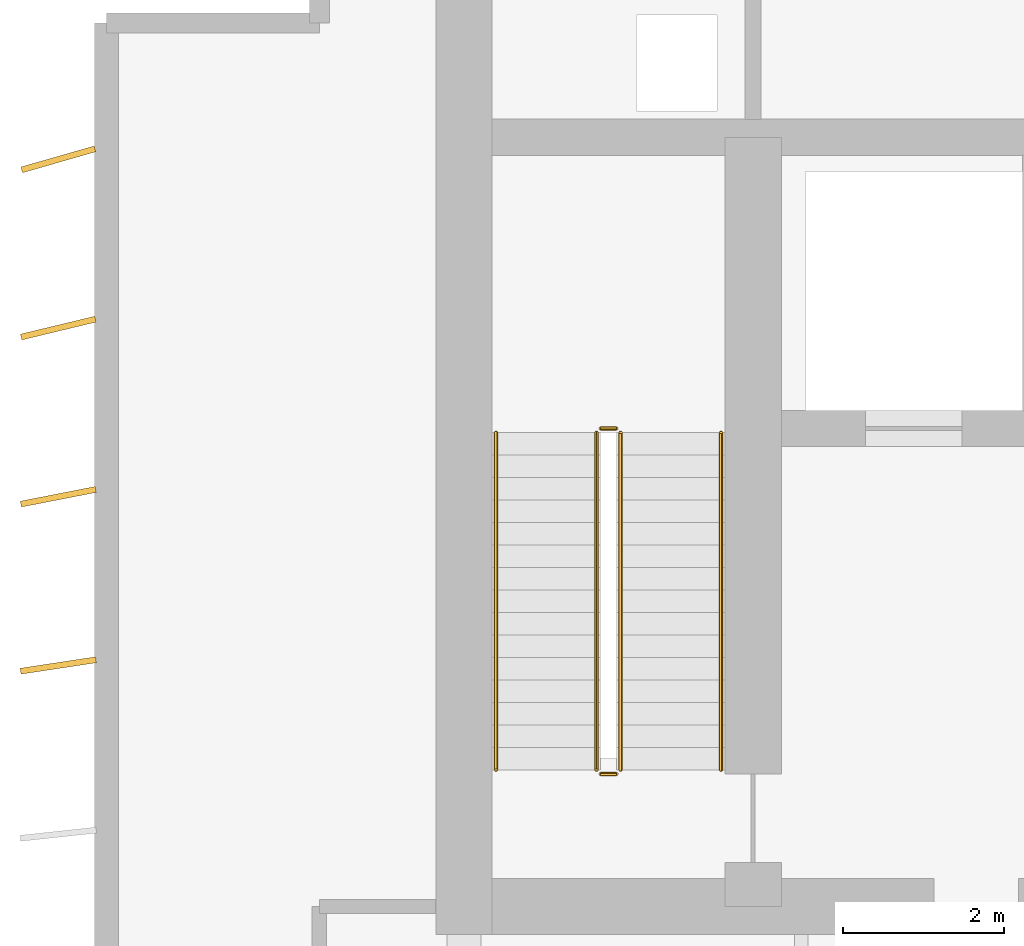
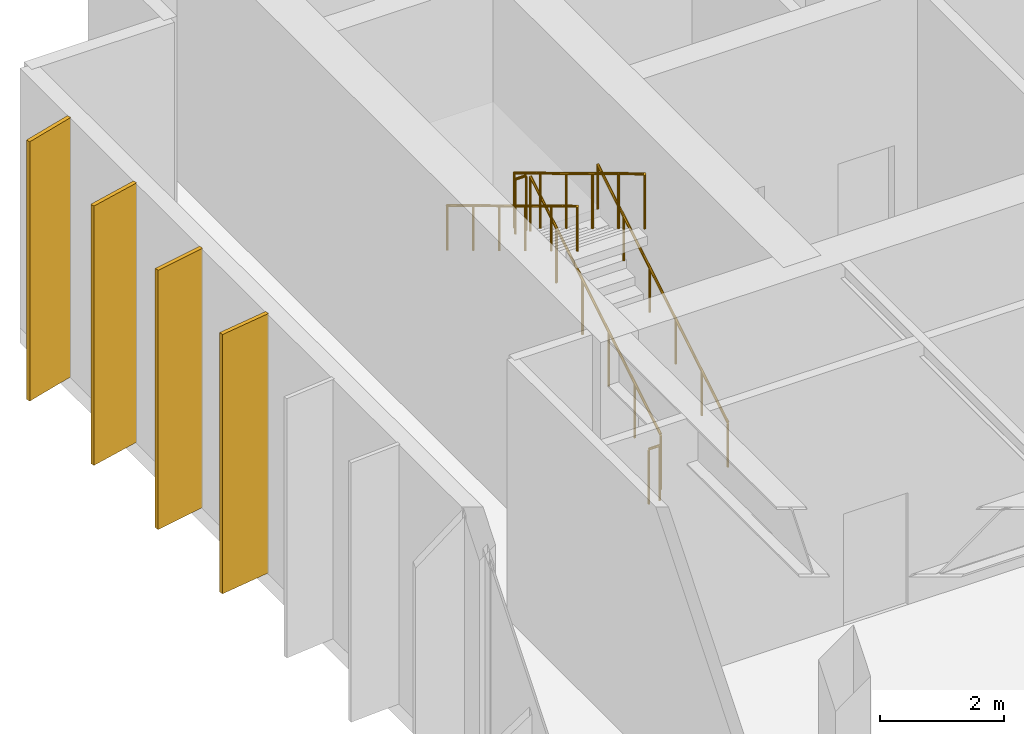
# One storey, part 9 of 10: 6 railings, 4 shading devices.
"""IFC4 building model written with IfcOpenShell, lengths in metres."""

import ifcopenshell
import ifcopenshell.guid

model = None  # the IFC model being written
_history = None  # IfcOwnerHistory: only IFC2X3 demands one
_inside = {}  # id of a spatial element -> (the spatial element, [elements in it])
_under = {}  # id of a project, library or spatial element -> (it, [spatial elements below it])
_declared = {}  # id of a project -> (the project, [libraries it declares])
_typed = {}  # id of a type object -> (the type object, [elements of that type])
_made_of = {}  # id of a material, layer set ... -> (it, [elements and type objects made of it])


def new_model(schema):
    """Start an empty IFC model of exactly this schema.

    Asked for "IFC4X3", IfcOpenShell would pick the latest addendum, in which some entities
    have other attributes; the version numbers below select the first issue.
    IFC2X3 requires an IfcOwnerHistory on every rooted entity: one is made here for all.
    """
    global model, _history
    if schema == "IFC4X3":
        model = ifcopenshell.file(schema_version=(4, 3, 0, 0))
    else:
        model = ifcopenshell.file(schema=schema)
    _inside.clear()
    _under.clear()
    _declared.clear()
    _typed.clear()
    _made_of.clear()
    _history = None
    if model.schema == "IFC2X3":
        org = make("IfcOrganization", Name="unknown")
        user = make(
            "IfcPersonAndOrganization",
            ThePerson=make("IfcPerson", FamilyName="unknown"),
            TheOrganization=org,
        )
        app = make(
            "IfcApplication",
            ApplicationDeveloper=org,
            Version="unknown",
            ApplicationFullName="unknown",
            ApplicationIdentifier="unknown",
        )
        _history = make(
            "IfcOwnerHistory",
            OwningUser=user,
            OwningApplication=app,
            ChangeAction="ADDED",
            CreationDate=0,
        )
    return model


def make(cls, **values):
    """One entity of the class cls with the attributes given. An attribute that is None is left unset."""
    return model.create_entity(
        cls, **{name: value for name, value in values.items() if value is not None}
    )


def rooted(cls, **values):
    """An entity with a GlobalId (a new one), such as an element, a storey or a relation."""
    return make(cls, GlobalId=ifcopenshell.guid.new(), OwnerHistory=_history, **values)


def si_unit(unit_type, name, prefix=None):
    """IfcSIUnit, for example si_unit("LENGTHUNIT", "METRE", prefix="MILLI")."""
    return make("IfcSIUnit", UnitType=unit_type, Prefix=prefix, Name=name)


def assignment(units):
    """IfcUnitAssignment: the units of a project."""
    return None if units is None else make("IfcUnitAssignment", Units=units)


def point(xyz):
    """IfcCartesianPoint."""
    return None if xyz is None else make("IfcCartesianPoint", Coordinates=xyz)


def direction(xyz):
    """IfcDirection."""
    return None if xyz is None else make("IfcDirection", DirectionRatios=xyz)


def frame(location, z_axis=None, x_axis=None):
    """IfcAxis2Placement3D, a coordinate frame: its origin and axes. An axis left out is left unset."""
    return make(
        "IfcAxis2Placement3D",
        Location=point(location),
        Axis=direction(z_axis),
        RefDirection=direction(x_axis),
    )


def frame_2d(location, x_axis=None):
    """IfcAxis2Placement2D, a coordinate frame in the plane: its origin and x axis."""
    return make(
        "IfcAxis2Placement2D", Location=point(location), RefDirection=direction(x_axis)
    )


def origin():
    """The frame at (0, 0, 0) with its axes left unset."""
    return frame((0.0, 0.0, 0.0))


def origin_2d():
    """The frame at (0, 0) in the plane with its x axis left unset."""
    return frame_2d((0.0, 0.0))


def place(relative_to, where):
    """IfcLocalPlacement: puts the frame where relative to a parent placement (None: the world)."""
    return make(
        "IfcLocalPlacement", PlacementRelTo=relative_to, RelativePlacement=where
    )


def context(
    kind, dimensions, precision=None, world=None, true_north=None, identifier=None
):
    """IfcGeometricRepresentationContext, for example the 3D "Model" context."""
    return make(
        "IfcGeometricRepresentationContext",
        ContextIdentifier=identifier,
        ContextType=kind,
        CoordinateSpaceDimension=dimensions,
        Precision=precision,
        WorldCoordinateSystem=world,
        TrueNorth=true_north,
    )


def subcontext(parent, identifier, kind, view, scale=None):
    """IfcGeometricRepresentationSubContext, for example "Body" below "Model"."""
    return make(
        "IfcGeometricRepresentationSubContext",
        ContextIdentifier=identifier,
        ContextType=kind,
        ParentContext=parent,
        TargetScale=scale,
        TargetView=view,
    )


def project(units=None, contexts=None):
    """IfcProject with its units and contexts."""
    return rooted(
        "IfcProject",
        Name="project",
        RepresentationContexts=contexts,
        UnitsInContext=assignment(units),
    )


def spatial(cls, under=None, at=None, **own):
    """A site, building, storey or space (cls), placed at a placement, below another one or the project."""
    s = rooted(cls, ObjectPlacement=at, **own)
    if under is not None:
        _under.setdefault(under.id(), (under, []))[1].append(s)
    return s


def profile(cls, at=None, kind="AREA", **sizes):
    """A parametric profile (cls). Its sizes go by their IFC names, for example OverallWidth=200.0."""
    return make(cls, ProfileType=kind, Position=at, **sizes)


def rectangle(**sizes):
    """IfcRectangleProfileDef."""
    return profile("IfcRectangleProfileDef", **sizes)


def circle(**sizes):
    """IfcCircleProfileDef."""
    return profile("IfcCircleProfileDef", **sizes)


def extrude(swept, where, along, depth):
    """IfcExtrudedAreaSolid: the profile swept, set in the frame where, extruded along a direction by depth."""
    return make(
        "IfcExtrudedAreaSolid",
        SweptArea=swept,
        Position=where,
        ExtrudedDirection=direction(along),
        Depth=depth,
    )


def shape(context_of_items, identifier, shape_type, items):
    """IfcShapeRepresentation: the items that make up one representation, for example the "Body"."""
    return make(
        "IfcShapeRepresentation",
        ContextOfItems=context_of_items,
        RepresentationIdentifier=identifier,
        RepresentationType=shape_type,
        Items=items,
    )


def material(Name=None, Category=None):
    """IfcMaterial."""
    return make("IfcMaterial", Name=Name, Category=Category)


def material_profile(
    of_material, cross_section, Name=None, Category=None, Priority=None
):
    """IfcMaterialProfile: a cross section and its material."""
    return make(
        "IfcMaterialProfile",
        Name=Name,
        Material=of_material,
        Profile=cross_section,
        Priority=Priority,
        Category=Category,
    )


def profile_set(profiles, Name=None, composite=None):
    """IfcMaterialProfileSet."""
    return make(
        "IfcMaterialProfileSet",
        Name=Name,
        MaterialProfiles=profiles,
        CompositeProfile=composite,
    )


def made_of(thing, what):
    """Note that an element or type object is made of a material, layer set ...; save() writes the relation."""
    if what is not None:
        _made_of.setdefault(what.id(), (what, []))[1].append(thing)
    return thing


def type_object(cls, material=None, **own):
    """A type object (cls), such as IfcWallType, which elements share."""
    return made_of(rooted(cls, **own), material)


def element(
    cls,
    number,
    at=None,
    inside=None,
    cuts=None,
    type_object=None,
    material=None,
    context=None,
    identifier="Body",
    shape_type=None,
    held_by="IfcProductDefinitionShape",
    body=None,
    shapes=None,
    **own,
):
    """One element of the class cls, such as IfcWall. Its Tag is "e" and its number.

    at: its placement. inside: the storey or other place that contains it. cuts: it is an
    opening in that element (IfcRelVoidsElement). A single representation is given by context,
    identifier, shape_type and body (its items); several are given by shapes. held_by: the class
    of the entity that holds the representations. save() writes the other relations.
    """
    e = rooted(cls, Tag="e%d" % number, ObjectPlacement=at, **own)
    if body is not None:
        shapes = [shape(context, identifier, shape_type, body)]
    if shapes is not None:
        e.Representation = make(held_by, Representations=shapes)
    if inside is not None:
        _inside.setdefault(inside.id(), (inside, []))[1].append(e)
    if cuts is not None:
        rooted(
            "IfcRelVoidsElement", RelatingBuildingElement=cuts, RelatedOpeningElement=e
        )
    if type_object is not None:
        _typed.setdefault(type_object.id(), (type_object, []))[1].append(e)
    return made_of(e, material)


def aggregate(whole, parts):
    """IfcRelAggregates: a whole, such as a stair, and the parts it consists of."""
    return rooted("IfcRelAggregates", RelatingObject=whole, RelatedObjects=parts)


def save(model, path):
    """Write the relations noted so far, then the file.

    IfcRelAggregates (storeys below a building ...), IfcRelContainedInSpatialStructure (elements
    in a storey), IfcRelDefinesByType, IfcRelAssociatesMaterial and IfcRelDeclares: one each for
    every whole, place, type object, material and project.
    """
    for whole, parts in _under.values():
        aggregate(whole, parts)
    for where, things in _inside.values():
        rooted(
            "IfcRelContainedInSpatialStructure",
            RelatedElements=things,
            RelatingStructure=where,
        )
    for kind, things in _typed.values():
        rooted("IfcRelDefinesByType", RelatedObjects=things, RelatingType=kind)
    for what, things in _made_of.values():
        rooted("IfcRelAssociatesMaterial", RelatedObjects=things, RelatingMaterial=what)
    for by, libraries in _declared.values():
        rooted("IfcRelDeclares", RelatingContext=by, RelatedDefinitions=libraries)
    model.write(path)


model = new_model("IFC4")

# Units and contexts
model_context = context("Model", 3, precision=1e-05, world=origin(), true_north=direction((0.0, 1.0)))
body_context = subcontext(model_context, "Body", "Model", "MODEL_VIEW")
ifc_project = project(units=[si_unit("LENGTHUNIT", "METRE"), si_unit("AREAUNIT", "SQUARE_METRE"), si_unit("VOLUMEUNIT", "CUBIC_METRE"), si_unit("PLANEANGLEUNIT", "RADIAN"), si_unit("MASSUNIT", "GRAM", prefix="KILO")], contexts=[model_context])

# Site, building, storey
site_placement = place(None, origin())
site = spatial("IfcSite", under=ifc_project, at=site_placement, CompositionType="ELEMENT")
building_placement = place(site_placement, origin())
building = spatial("IfcBuilding", under=site, at=building_placement, Name="Caelmar Bay Residences", CompositionType="ELEMENT")
storey_placement = place(building_placement, frame((0.0, 0.0, 284.800048828125)))
storey = spatial("IfcBuildingStorey", under=building, at=storey_placement, Name="L79", CompositionType="ELEMENT", Elevation=284.800048828125)

# Railings
ifc_material_1 = material(Name="Painted galvanized steel stair guard 1100 mm", Category="steel")
railing_type_1 = type_object("IfcRailingType", Name="RL-GRD-1100", PredefinedType="GUARDRAIL", material=ifc_material_1)
railing_1_placement = place(storey_placement, frame((20.25, 38.699951171875, 0.168701171875)))
element("IfcRailing", 1, at=railing_1_placement, inside=storey, type_object=railing_type_1, Name="L79 ST1 stair guard 1", PredefinedType="GUARDRAIL", context=body_context, shape_type="SweptSolid", body=[
    extrude(circle(Radius=0.02392578125, at=origin_2d()), frame((0.0, 0.0, 1.076171875), z_axis=(0.0, 0.856476492594, 0.516186030065), x_axis=(-1.0, 0.0, 0.0)), (0.0, 0.0, 1.0), 4.90380859375),
    extrude(circle(Radius=0.02099609375, at=origin_2d()), origin(), (0.0, 0.0, 1.0), 1.052001953125),
    extrude(circle(Radius=0.02099609375, at=origin_2d()), frame((0.0, 0.840087890625, 0.50634765625)), (0.0, 0.0, 1.0), 1.052001953125),
    extrude(circle(Radius=0.02099609375, at=origin_2d()), frame((0.0, 1.679931640625, 1.012451171875)), (0.0, 0.0, 1.0), 1.052001953125),
    extrude(circle(Radius=0.02099609375, at=origin_2d()), frame((0.0, 2.52001953125, 1.518798828125)), (0.0, 0.0, 1.0), 1.052001953125),
    extrude(circle(Radius=0.02099609375, at=origin_2d()), frame((0.0, 3.35986328125, 2.02490234375)), (0.0, 0.0, 1.0), 1.052001953125),
    extrude(circle(Radius=0.02099609375, at=origin_2d()), frame((0.0, 4.199951171875, 2.53125)), (0.0, 0.0, 1.0), 1.052001953125),
])
railing_2_placement = place(storey_placement, frame((20.199951171875, 42.949951171875, 2.699951171875)))
element("IfcRailing", 2, at=railing_2_placement, inside=storey, type_object=railing_type_1, Name="L79 ST1 stair guard 2", PredefinedType="GUARDRAIL", context=body_context, shape_type="SweptSolid", body=[
    extrude(circle(Radius=0.02392578125, at=origin_2d()), frame((0.0, 0.0, 1.076171875), z_axis=(-1.0, 0.0, 0.0), x_axis=(0.0, -1.0, 0.0)), (0.0, 0.0, 1.0), 0.199951171875),
    extrude(circle(Radius=0.02099609375, at=origin_2d()), origin(), (0.0, 0.0, 1.0), 1.052001953125),
    extrude(circle(Radius=0.02099609375, at=origin_2d()), frame((-0.199951171875, 0.0, 0.0)), (0.0, 0.0, 1.0), 1.052001953125),
])
railing_3_placement = place(storey_placement, frame((19.949951171875, 42.89990234375, 2.86865234375)))
element("IfcRailing", 3, at=railing_3_placement, inside=storey, type_object=railing_type_1, Name="L79 ST1 stair guard 3", PredefinedType="GUARDRAIL", context=body_context, shape_type="SweptSolid", body=[
    extrude(circle(Radius=0.02392578125, at=origin_2d()), frame((0.0, 0.0, 1.076171875), z_axis=(0.0, -0.856476492594, 0.516186030065), x_axis=(1.0, 0.0, 0.0)), (0.0, 0.0, 1.0), 4.90380859375),
    extrude(circle(Radius=0.02099609375, at=origin_2d()), origin(), (0.0, 0.0, 1.0), 1.052001953125),
    extrude(circle(Radius=0.02099609375, at=origin_2d()), frame((0.0, -0.840087890625, 0.50634765625)), (0.0, 0.0, 1.0), 1.052001953125),
    extrude(circle(Radius=0.02099609375, at=origin_2d()), frame((0.0, -1.679931640625, 1.012451171875)), (0.0, 0.0, 1.0), 1.052001953125),
    extrude(circle(Radius=0.02099609375, at=origin_2d()), frame((0.0, -2.52001953125, 1.518798828125)), (0.0, 0.0, 1.0), 1.052001953125),
    extrude(circle(Radius=0.02099609375, at=origin_2d()), frame((0.0, -3.35986328125, 2.02490234375)), (0.0, 0.0, 1.0), 1.052001953125),
    extrude(circle(Radius=0.02099609375, at=origin_2d()), frame((0.0, -4.199951171875, 2.53125)), (0.0, 0.0, 1.0), 1.052001953125),
])
railing_4_placement = place(storey_placement, frame((20.199951171875, 38.64990234375, 0.0)))
element("IfcRailing", 4, at=railing_4_placement, inside=storey, type_object=railing_type_1, Name="L79 ST1 stair guard 4", PredefinedType="GUARDRAIL", context=body_context, shape_type="SweptSolid", body=[
    extrude(circle(Radius=0.02392578125, at=origin_2d()), frame((0.0, 0.0, 1.076171875), z_axis=(-1.0, 0.0, 0.0), x_axis=(0.0, -1.0, 0.0)), (0.0, 0.0, 1.0), 0.199951171875),
    extrude(circle(Radius=0.02099609375, at=origin_2d()), origin(), (0.0, 0.0, 1.0), 1.052001953125),
    extrude(circle(Radius=0.02099609375, at=origin_2d()), frame((-0.199951171875, 0.0, 0.0)), (0.0, 0.0, 1.0), 1.052001953125),
])
ifc_material_2 = material(Name="Brushed bronze stainless-steel tubular handrail 900 mm", Category="steel")
railing_type_2 = type_object("IfcRailingType", Name="RL-HND-900", PredefinedType="HANDRAIL", material=ifc_material_2)
railing_5_placement = place(storey_placement, frame((21.5, 38.699951171875, 0.168701171875)))
element("IfcRailing", 5, at=railing_5_placement, inside=storey, type_object=railing_type_2, Name="L79 ST1 stair handrail 1", PredefinedType="HANDRAIL", context=body_context, shape_type="SweptSolid", body=[
    extrude(circle(Radius=0.02392578125, at=origin_2d()), frame((0.0, 0.0, 0.8759765625), z_axis=(0.0, 0.856476492594, 0.516186030065), x_axis=(-1.0, 0.0, 0.0)), (0.0, 0.0, 1.0), 4.90380859375),
    extrude(circle(Radius=0.02099609375, at=origin_2d()), origin(), (0.0, 0.0, 1.0), 0.851806640625),
    extrude(circle(Radius=0.02099609375, at=origin_2d()), frame((0.0, 0.840087890625, 0.50634765625)), (0.0, 0.0, 1.0), 0.851806640625),
    extrude(circle(Radius=0.02099609375, at=origin_2d()), frame((0.0, 1.679931640625, 1.012451171875)), (0.0, 0.0, 1.0), 0.851806640625),
    extrude(circle(Radius=0.02099609375, at=origin_2d()), frame((0.0, 2.52001953125, 1.518798828125)), (0.0, 0.0, 1.0), 0.851806640625),
    extrude(circle(Radius=0.02099609375, at=origin_2d()), frame((0.0, 3.35986328125, 2.02490234375)), (0.0, 0.0, 1.0), 0.851806640625),
    extrude(circle(Radius=0.02099609375, at=origin_2d()), frame((0.0, 4.199951171875, 2.53125)), (0.0, 0.0, 1.0), 0.851806640625),
])
railing_6_placement = place(storey_placement, frame((18.699951171875, 42.89990234375, 2.86865234375)))
element("IfcRailing", 6, at=railing_6_placement, inside=storey, type_object=railing_type_2, Name="L79 ST1 stair handrail 2", PredefinedType="HANDRAIL", context=body_context, shape_type="SweptSolid", body=[
    extrude(circle(Radius=0.02392578125, at=origin_2d()), frame((0.0, 0.0, 0.8759765625), z_axis=(0.0, -0.856476492594, 0.516186030065), x_axis=(1.0, 0.0, 0.0)), (0.0, 0.0, 1.0), 4.90380859375),
    extrude(circle(Radius=0.02099609375, at=origin_2d()), origin(), (0.0, 0.0, 1.0), 0.851806640625),
    extrude(circle(Radius=0.02099609375, at=origin_2d()), frame((0.0, -0.840087890625, 0.50634765625)), (0.0, 0.0, 1.0), 0.851806640625),
    extrude(circle(Radius=0.02099609375, at=origin_2d()), frame((0.0, -1.679931640625, 1.012451171875)), (0.0, 0.0, 1.0), 0.851806640625),
    extrude(circle(Radius=0.02099609375, at=origin_2d()), frame((0.0, -2.52001953125, 1.518798828125)), (0.0, 0.0, 1.0), 0.851806640625),
    extrude(circle(Radius=0.02099609375, at=origin_2d()), frame((0.0, -3.35986328125, 2.02490234375)), (0.0, 0.0, 1.0), 0.851806640625),
    extrude(circle(Radius=0.02099609375, at=origin_2d()), frame((0.0, -4.199951171875, 2.53125)), (0.0, 0.0, 1.0), 0.851806640625),
])

# Shading devices
ifc_material_3 = material(Name="Anodised architectural bronze aluminium 6063-T6", Category="aluminium")
ifc_material_profile = material_profile(ifc_material_3, rectangle(XDim=0.074951171875, YDim=0.949951171875, at=origin_2d()), Name="BRONZE-FIN-75X950")
ifc_profile_set = profile_set([ifc_material_profile], Name="Anodised architectural bronze aluminium 6063-T6")
shading_device_type = type_object("IfcShadingDeviceType", Name="SHD-FIN-950", PredefinedType="USERDEFINED", material=ifc_profile_set)
for number, where, z_axis, x_axis, name in (
    (7, (13.25, 40.0, 0.0), (0.0, 0.0, 1.0), (-0.149880475413, 0.988704123128, 0.0), "L79 West Bronze Solar Fin 11"),
    (8, (13.25, 42.10009765625, 0.0), (0.0, 0.0, 1.0), (-0.192179419046, 0.981359807051, 0.0), "L79 West Bronze Solar Fin 12"),
    (9, (13.25, 44.199951171875, 0.0), (0.0, 0.0, 1.0), (-0.234124149178, 0.972206707841, 0.0), "L79 West Bronze Solar Fin 13"),
    (10, (13.25, 46.300048828125, 0.0), (0.0, 0.0, 1.0), (-0.275637355817, 0.961261695938, 0.0), "L79 West Bronze Solar Fin 14"),
):
    element("IfcShadingDevice", number, at=place(storey_placement, frame(where, z_axis=z_axis, x_axis=x_axis)), inside=storey, type_object=shading_device_type, Name=name, ObjectType="FIN", PredefinedType="USERDEFINED", context=body_context, shape_type="SweptSolid", body=[
        extrude(rectangle(XDim=0.074951171875, YDim=0.949951171875, at=origin_2d()), origin(), (0.0, 0.0, 1.0), 5.099853515625),
    ])

save(model, "model.ifc")
